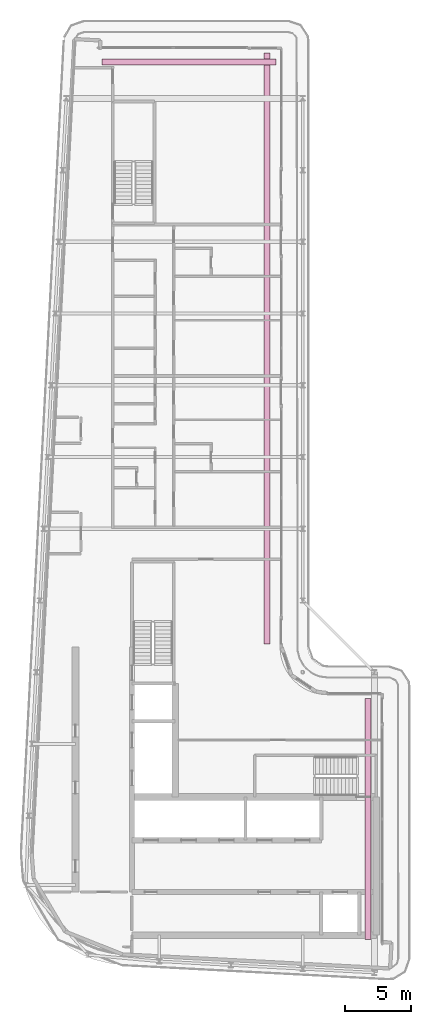
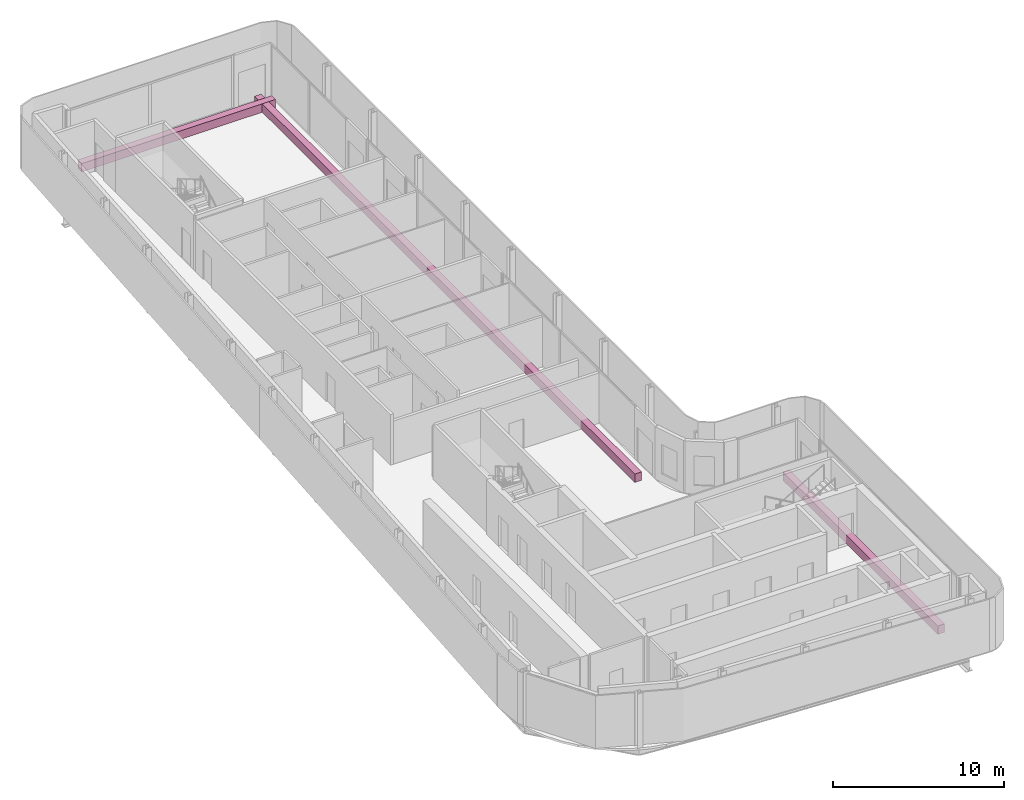
# One storey, part 19 of 19: 3 furniture elements.
"""IFC4 building model written with IfcOpenShell, lengths in metres."""

from ifc_helpers import new_model, si_unit, direction, frame, origin, origin_2d, place, context, subcontext, project, spatial, rectangle, extrude, material, type_object, element, save


model = new_model("IFC4")

# Units and contexts
model_context = context("Model", 3, precision=1e-05, world=origin(), true_north=direction((0.0, 1.0)))
body_context = subcontext(model_context, "Body", "Model", "MODEL_VIEW")
ifc_project = project(units=[si_unit("LENGTHUNIT", "METRE"), si_unit("AREAUNIT", "SQUARE_METRE"), si_unit("VOLUMEUNIT", "CUBIC_METRE"), si_unit("PLANEANGLEUNIT", "RADIAN"), si_unit("MASSUNIT", "GRAM", prefix="KILO")], contexts=[model_context])

# Site, building, storey
site_placement = place(None, origin())
site = spatial("IfcSite", under=ifc_project, at=site_placement, CompositionType="ELEMENT")
building_placement = place(site_placement, origin())
building = spatial("IfcBuilding", under=site, at=building_placement, Name="Kheshtan School and Residences Tower", CompositionType="ELEMENT")
storey_placement = place(building_placement, frame((0.0, 0.0, 350.0)))
storey = spatial("IfcBuildingStorey", under=building, at=storey_placement, Name="L82", CompositionType="ELEMENT", Elevation=350.0)

# Furniture
ifc_material = material(Name="Precast concrete C30/37 in terracotta finish", Category="masonry")
furniture_type = type_object("IfcFurnitureType", Name="Planter trough", AssemblyPlace="NOTDEFINED", PredefinedType="USERDEFINED", material=ifc_material)
furniture_1_placement = place(storey_placement, frame((39.053955078125, 91.52490234375, 0.0), z_axis=(0.0, 0.0, 1.0), x_axis=(1.0, 0.0, 0.0)))
element("IfcFurniture", 1, at=furniture_1_placement, inside=storey, type_object=furniture_type, Name="Planter L82", ObjectType="PLANTER", PredefinedType="USERDEFINED", context=body_context, shape_type="SweptSolid", body=[
    extrude(rectangle(XDim=13.092041015625, YDim=0.449951171875, at=origin_2d()), origin(), (0.0, 0.0, 1.0), 0.60009765625),
])
furniture_2_placement = place(storey_placement, frame((44.925048828125, 69.965087890625, 0.0), z_axis=(0.0, 0.0, 1.0), x_axis=(0.0, -1.0, 0.0)))
element("IfcFurniture", 2, at=furniture_2_placement, inside=storey, type_object=furniture_type, Name="Planter L82", ObjectType="PLANTER", PredefinedType="USERDEFINED", context=body_context, shape_type="SweptSolid", body=[
    extrude(rectangle(XDim=44.469970703125, YDim=0.449951171875, at=origin_2d()), origin(), (0.0, 0.0, 1.0), 0.60009765625),
])
furniture_3_placement = place(storey_placement, frame((52.52490234375, 34.528076171875, 0.0), z_axis=(0.0, 0.0, 1.0), x_axis=(0.0, -1.0, 0.0)))
element("IfcFurniture", 3, at=furniture_3_placement, inside=storey, type_object=furniture_type, Name="Planter L82", ObjectType="PLANTER", PredefinedType="USERDEFINED", context=body_context, shape_type="SweptSolid", body=[
    extrude(rectangle(XDim=18.14404296875, YDim=0.449951171875, at=origin_2d()), origin(), (0.0, 0.0, 1.0), 0.60009765625),
])

save(model, "model.ifc")
